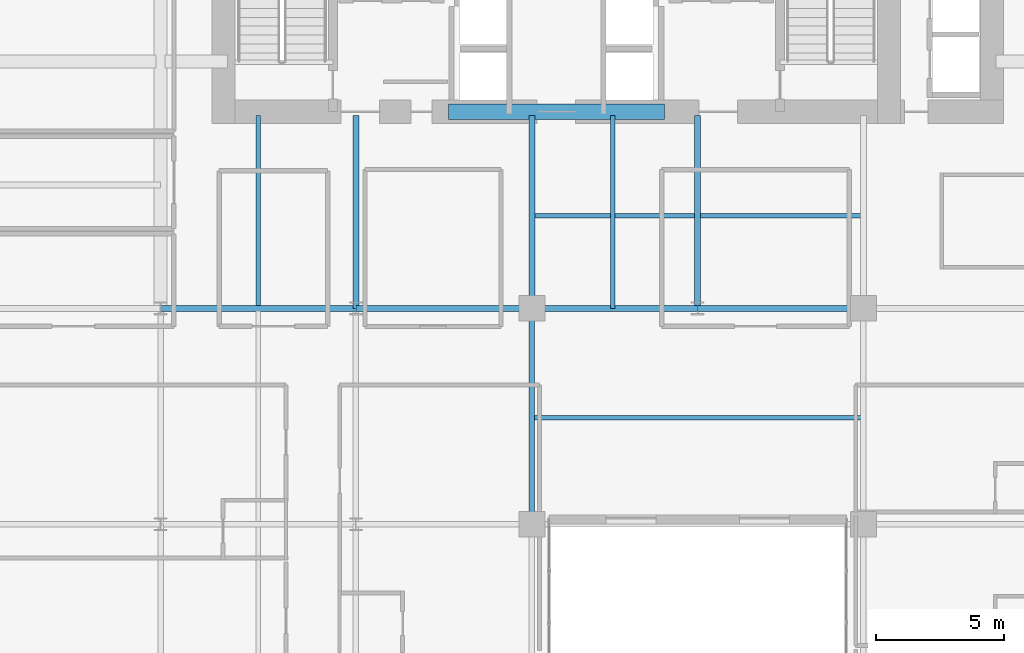
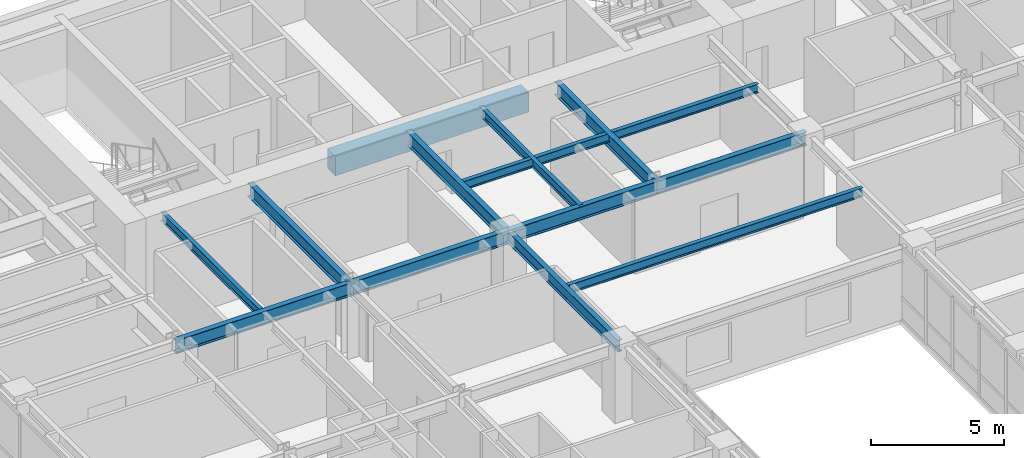
# One storey, part 12 of 30: 13 beams.
"""IFC4 building model written with IfcOpenShell, lengths in metres."""

import ifcopenshell
import ifcopenshell.guid

model = None  # the IFC model being written
_history = None  # IfcOwnerHistory: only IFC2X3 demands one
_inside = {}  # id of a spatial element -> (the spatial element, [elements in it])
_under = {}  # id of a project, library or spatial element -> (it, [spatial elements below it])
_declared = {}  # id of a project -> (the project, [libraries it declares])
_typed = {}  # id of a type object -> (the type object, [elements of that type])
_made_of = {}  # id of a material, layer set ... -> (it, [elements and type objects made of it])


def new_model(schema):
    """Start an empty IFC model of exactly this schema.

    Asked for "IFC4X3", IfcOpenShell would pick the latest addendum, in which some entities
    have other attributes; the version numbers below select the first issue.
    IFC2X3 requires an IfcOwnerHistory on every rooted entity: one is made here for all.
    """
    global model, _history
    if schema == "IFC4X3":
        model = ifcopenshell.file(schema_version=(4, 3, 0, 0))
    else:
        model = ifcopenshell.file(schema=schema)
    _inside.clear()
    _under.clear()
    _declared.clear()
    _typed.clear()
    _made_of.clear()
    _history = None
    if model.schema == "IFC2X3":
        org = make("IfcOrganization", Name="unknown")
        user = make(
            "IfcPersonAndOrganization",
            ThePerson=make("IfcPerson", FamilyName="unknown"),
            TheOrganization=org,
        )
        app = make(
            "IfcApplication",
            ApplicationDeveloper=org,
            Version="unknown",
            ApplicationFullName="unknown",
            ApplicationIdentifier="unknown",
        )
        _history = make(
            "IfcOwnerHistory",
            OwningUser=user,
            OwningApplication=app,
            ChangeAction="ADDED",
            CreationDate=0,
        )
    return model


def make(cls, **values):
    """One entity of the class cls with the attributes given. An attribute that is None is left unset."""
    return model.create_entity(
        cls, **{name: value for name, value in values.items() if value is not None}
    )


def rooted(cls, **values):
    """An entity with a GlobalId (a new one), such as an element, a storey or a relation."""
    return make(cls, GlobalId=ifcopenshell.guid.new(), OwnerHistory=_history, **values)


def si_unit(unit_type, name, prefix=None):
    """IfcSIUnit, for example si_unit("LENGTHUNIT", "METRE", prefix="MILLI")."""
    return make("IfcSIUnit", UnitType=unit_type, Prefix=prefix, Name=name)


def assignment(units):
    """IfcUnitAssignment: the units of a project."""
    return None if units is None else make("IfcUnitAssignment", Units=units)


def point(xyz):
    """IfcCartesianPoint."""
    return None if xyz is None else make("IfcCartesianPoint", Coordinates=xyz)


def direction(xyz):
    """IfcDirection."""
    return None if xyz is None else make("IfcDirection", DirectionRatios=xyz)


def frame(location, z_axis=None, x_axis=None):
    """IfcAxis2Placement3D, a coordinate frame: its origin and axes. An axis left out is left unset."""
    return make(
        "IfcAxis2Placement3D",
        Location=point(location),
        Axis=direction(z_axis),
        RefDirection=direction(x_axis),
    )


def frame_2d(location, x_axis=None):
    """IfcAxis2Placement2D, a coordinate frame in the plane: its origin and x axis."""
    return make(
        "IfcAxis2Placement2D", Location=point(location), RefDirection=direction(x_axis)
    )


def origin():
    """The frame at (0, 0, 0) with its axes left unset."""
    return frame((0.0, 0.0, 0.0))


def origin_2d():
    """The frame at (0, 0) in the plane with its x axis left unset."""
    return frame_2d((0.0, 0.0))


def place(relative_to, where):
    """IfcLocalPlacement: puts the frame where relative to a parent placement (None: the world)."""
    return make(
        "IfcLocalPlacement", PlacementRelTo=relative_to, RelativePlacement=where
    )


def context(
    kind, dimensions, precision=None, world=None, true_north=None, identifier=None
):
    """IfcGeometricRepresentationContext, for example the 3D "Model" context."""
    return make(
        "IfcGeometricRepresentationContext",
        ContextIdentifier=identifier,
        ContextType=kind,
        CoordinateSpaceDimension=dimensions,
        Precision=precision,
        WorldCoordinateSystem=world,
        TrueNorth=true_north,
    )


def subcontext(parent, identifier, kind, view, scale=None):
    """IfcGeometricRepresentationSubContext, for example "Body" below "Model"."""
    return make(
        "IfcGeometricRepresentationSubContext",
        ContextIdentifier=identifier,
        ContextType=kind,
        ParentContext=parent,
        TargetScale=scale,
        TargetView=view,
    )


def project(units=None, contexts=None):
    """IfcProject with its units and contexts."""
    return rooted(
        "IfcProject",
        Name="project",
        RepresentationContexts=contexts,
        UnitsInContext=assignment(units),
    )


def spatial(cls, under=None, at=None, **own):
    """A site, building, storey or space (cls), placed at a placement, below another one or the project."""
    s = rooted(cls, ObjectPlacement=at, **own)
    if under is not None:
        _under.setdefault(under.id(), (under, []))[1].append(s)
    return s


def profile(cls, at=None, kind="AREA", **sizes):
    """A parametric profile (cls). Its sizes go by their IFC names, for example OverallWidth=200.0."""
    return make(cls, ProfileType=kind, Position=at, **sizes)


def rectangle(**sizes):
    """IfcRectangleProfileDef."""
    return profile("IfcRectangleProfileDef", **sizes)


def i_section(**sizes):
    """IfcIShapeProfileDef."""
    return profile("IfcIShapeProfileDef", **sizes)


def extrude(swept, where, along, depth):
    """IfcExtrudedAreaSolid: the profile swept, set in the frame where, extruded along a direction by depth."""
    return make(
        "IfcExtrudedAreaSolid",
        SweptArea=swept,
        Position=where,
        ExtrudedDirection=direction(along),
        Depth=depth,
    )


def shape(context_of_items, identifier, shape_type, items):
    """IfcShapeRepresentation: the items that make up one representation, for example the "Body"."""
    return make(
        "IfcShapeRepresentation",
        ContextOfItems=context_of_items,
        RepresentationIdentifier=identifier,
        RepresentationType=shape_type,
        Items=items,
    )


def source(mapping_origin, context_of_items, identifier, shape_type, items):
    """IfcRepresentationMap: a shape defined once, which mapped items show again and again."""
    return make(
        "IfcRepresentationMap",
        MappingOrigin=mapping_origin,
        MappedRepresentation=shape(context_of_items, identifier, shape_type, items),
    )


def transform(
    local_origin,
    x_axis=None,
    y_axis=None,
    z_axis=None,
    scale=None,
    scale2=None,
    scale3=None,
    uniform=True,
):
    """IfcCartesianTransformationOperator3D, or its non-uniform kind. x_axis, y_axis, z_axis: its Axis1, 2, 3."""
    if uniform:
        return make(
            "IfcCartesianTransformationOperator3D",
            Axis1=direction(x_axis),
            Axis2=direction(y_axis),
            LocalOrigin=point(local_origin),
            Scale=scale,
            Axis3=direction(z_axis),
        )
    return make(
        "IfcCartesianTransformationOperator3DnonUniform",
        Axis1=direction(x_axis),
        Axis2=direction(y_axis),
        LocalOrigin=point(local_origin),
        Scale=scale,
        Axis3=direction(z_axis),
        Scale2=scale2,
        Scale3=scale3,
    )


def mapped(mapping_source, mapping_target):
    """IfcMappedItem: shows the shape of a source again, moved by a transform."""
    return make(
        "IfcMappedItem", MappingSource=mapping_source, MappingTarget=mapping_target
    )


def material(Name=None, Category=None):
    """IfcMaterial."""
    return make("IfcMaterial", Name=Name, Category=Category)


def material_profile(
    of_material, cross_section, Name=None, Category=None, Priority=None
):
    """IfcMaterialProfile: a cross section and its material."""
    return make(
        "IfcMaterialProfile",
        Name=Name,
        Material=of_material,
        Profile=cross_section,
        Priority=Priority,
        Category=Category,
    )


def profile_set(profiles, Name=None, composite=None):
    """IfcMaterialProfileSet."""
    return make(
        "IfcMaterialProfileSet",
        Name=Name,
        MaterialProfiles=profiles,
        CompositeProfile=composite,
    )


def made_of(thing, what):
    """Note that an element or type object is made of a material, layer set ...; save() writes the relation."""
    if what is not None:
        _made_of.setdefault(what.id(), (what, []))[1].append(thing)
    return thing


def type_object(cls, material=None, **own):
    """A type object (cls), such as IfcWallType, which elements share."""
    return made_of(rooted(cls, **own), material)


def type_shapes(of_type, sources):
    """Give a type object the sources (RepresentationMaps) that its elements show as mapped items."""
    of_type.RepresentationMaps = sources


def element(
    cls,
    number,
    at=None,
    inside=None,
    cuts=None,
    type_object=None,
    material=None,
    context=None,
    identifier="Body",
    shape_type=None,
    held_by="IfcProductDefinitionShape",
    body=None,
    shapes=None,
    **own,
):
    """One element of the class cls, such as IfcWall. Its Tag is "e" and its number.

    at: its placement. inside: the storey or other place that contains it. cuts: it is an
    opening in that element (IfcRelVoidsElement). A single representation is given by context,
    identifier, shape_type and body (its items); several are given by shapes. held_by: the class
    of the entity that holds the representations. save() writes the other relations.
    """
    e = rooted(cls, Tag="e%d" % number, ObjectPlacement=at, **own)
    if body is not None:
        shapes = [shape(context, identifier, shape_type, body)]
    if shapes is not None:
        e.Representation = make(held_by, Representations=shapes)
    if inside is not None:
        _inside.setdefault(inside.id(), (inside, []))[1].append(e)
    if cuts is not None:
        rooted(
            "IfcRelVoidsElement", RelatingBuildingElement=cuts, RelatedOpeningElement=e
        )
    if type_object is not None:
        _typed.setdefault(type_object.id(), (type_object, []))[1].append(e)
    return made_of(e, material)


def aggregate(whole, parts):
    """IfcRelAggregates: a whole, such as a stair, and the parts it consists of."""
    return rooted("IfcRelAggregates", RelatingObject=whole, RelatedObjects=parts)


def save(model, path):
    """Write the relations noted so far, then the file.

    IfcRelAggregates (storeys below a building ...), IfcRelContainedInSpatialStructure (elements
    in a storey), IfcRelDefinesByType, IfcRelAssociatesMaterial and IfcRelDeclares: one each for
    every whole, place, type object, material and project.
    """
    for whole, parts in _under.values():
        aggregate(whole, parts)
    for where, things in _inside.values():
        rooted(
            "IfcRelContainedInSpatialStructure",
            RelatedElements=things,
            RelatingStructure=where,
        )
    for kind, things in _typed.values():
        rooted("IfcRelDefinesByType", RelatedObjects=things, RelatingType=kind)
    for what, things in _made_of.values():
        rooted("IfcRelAssociatesMaterial", RelatedObjects=things, RelatingMaterial=what)
    for by, libraries in _declared.values():
        rooted("IfcRelDeclares", RelatingContext=by, RelatedDefinitions=libraries)
    model.write(path)


model = new_model("IFC4")

# Units and contexts
model_context = context("Model", 3, precision=1e-05, world=origin(), true_north=direction((0.0, 1.0)))
body_context = subcontext(model_context, "Body", "Model", "MODEL_VIEW")
ifc_project = project(units=[si_unit("LENGTHUNIT", "METRE"), si_unit("AREAUNIT", "SQUARE_METRE"), si_unit("VOLUMEUNIT", "CUBIC_METRE"), si_unit("PLANEANGLEUNIT", "RADIAN"), si_unit("MASSUNIT", "GRAM", prefix="KILO")], contexts=[model_context])

# Site, building, storey
site_placement = place(None, origin())
site = spatial("IfcSite", under=ifc_project, at=site_placement, CompositionType="ELEMENT")
building_placement = place(site_placement, origin())
building = spatial("IfcBuilding", under=site, at=building_placement, Name="Tolvann Quenvar Hotel", CompositionType="ELEMENT")
storey_placement = place(building_placement, frame((0.0, 0.0, 56.85009765625)))
storey = spatial("IfcBuildingStorey", under=building, at=storey_placement, Name="L13", CompositionType="ELEMENT", Elevation=56.85009765625)

# Beams
ifc_material_1 = material(Name="Concrete N50 (50 MPa)", Category="concrete")
ifc_material_profile_1 = material_profile(ifc_material_1, rectangle(XDim=0.60009765625, YDim=0.89990234375, at=origin_2d()), Name="RC600x900")
ifc_profile_set_1 = profile_set([ifc_material_profile_1], Name="Concrete N50 (50 MPa)")
beam_type_1 = type_object("IfcBeamType", Name="BM_LINT_RC600x900", PredefinedType="LINTEL", material=ifc_profile_set_1)
shared_shape_1 = source(origin(), body_context, "Body", "SweptSolid", [
    extrude(rectangle(XDim=0.60009765625, YDim=0.89990234375, at=origin_2d()), origin(), (0.0, 0.0, 1.0), 8.39990234375),
])
type_shapes(beam_type_1, [shared_shape_1])
beam_1_placement = place(storey_placement, frame((18.800048828125, 32.050048828125, 2.919921875), z_axis=(1.0, 0.0, 0.0), x_axis=(0.0, 1.0, 0.0)))
element("IfcBeam", 1, at=beam_1_placement, inside=storey, type_object=beam_type_1, Name="Core Coupling Lintel Beam (L13)", PredefinedType="LINTEL", context=body_context, shape_type="MappedRepresentation", body=[
    mapped(shared_shape_1, transform((0.0, 0.0, 0.0), x_axis=(1.0, 0.0, 0.0), y_axis=(0.0, 1.0, 0.0), z_axis=(0.0, 0.0, 1.0), scale=1.0)),
])
ifc_material_2 = material(Name="Steel Grade 350", Category="steel")
ifc_material_profile_2 = material_profile(ifc_material_2, i_section(OverallWidth=0.22900390625, OverallDepth=0.612060546875, WebThickness=0.011962890625, FlangeThickness=0.01953125, FilletRadius=0.013916015625, at=origin_2d()), Name="610UB125")
ifc_profile_set_2 = profile_set([ifc_material_profile_2], Name="Steel Grade 350")
beam_type_2 = type_object("IfcBeamType", Name="BM_GIRD_610UB125", PredefinedType="BEAM", material=ifc_profile_set_2)
shared_shape_2 = source(origin(), body_context, "Body", "SweptSolid", [
    extrude(i_section(OverallWidth=0.22900390625, OverallDepth=0.612060546875, WebThickness=0.011962890625, FlangeThickness=0.01953125, FilletRadius=0.013916015625, at=origin_2d()), origin(), (0.0, 0.0, 1.0), 7.599853515625),
])
beam_2_placement = place(storey_placement, frame((7.60009765625, 24.39990234375, 3.06396484375), z_axis=(1.0, 0.0, 0.0), x_axis=(0.0, 1.0, 0.0)))
element("IfcBeam", 2, at=beam_2_placement, inside=storey, type_object=beam_type_2, Name="BM-L13-EW-5-C5-D5", PredefinedType="BEAM", context=body_context, shape_type="MappedRepresentation", body=[
    mapped(shared_shape_2, transform((0.0, 0.0, 0.0), x_axis=(1.0, 0.0, 0.0), y_axis=(0.0, 1.0, 0.0), z_axis=(0.0, 0.0, 1.0), scale=1.0)),
])
shared_shape_3 = source(origin(), body_context, "Body", "SweptSolid", [
    extrude(i_section(OverallWidth=0.22900390625, OverallDepth=0.612060546875, WebThickness=0.011962890625, FlangeThickness=0.01953125, FilletRadius=0.013916015625, at=origin_2d()), origin(), (0.0, 0.0, 1.0), 6.85009765625),
])
beam_3_placement = place(storey_placement, frame((15.199951171875, 24.39990234375, 3.06396484375), z_axis=(1.0, 0.0, 0.0), x_axis=(0.0, 1.0, 0.0)))
element("IfcBeam", 3, at=beam_3_placement, inside=storey, type_object=beam_type_2, Name="BM-L13-EW-5-D5-E5", PredefinedType="BEAM", context=body_context, shape_type="MappedRepresentation", body=[
    mapped(shared_shape_3, transform((0.0, 0.0, 0.0), x_axis=(1.0, 0.0, 0.0), y_axis=(0.0, 1.0, 0.0), z_axis=(0.0, 0.0, 1.0), scale=1.0)),
])
shared_shape_4 = source(origin(), body_context, "Body", "SweptSolid", [
    extrude(i_section(OverallWidth=0.22900390625, OverallDepth=0.612060546875, WebThickness=0.011962890625, FlangeThickness=0.01953125, FilletRadius=0.013916015625, at=origin_2d()), origin(), (0.0, 0.0, 1.0), 6.449951171875),
])
for number, where, z_axis, x_axis, name in (
    (4, (22.050048828125, 24.39990234375, 3.06396484375), (1.0, 0.0, 0.0), (0.0, 1.0, 0.0), "BM-L13-EW-5-E5-M5"),
    (5, (28.5, 24.39990234375, 3.06396484375), (1.0, 0.0, 0.0), (0.0, 1.0, 0.0), "BM-L13-EW-5-M5-F5"),
):
    element("IfcBeam", number, at=place(storey_placement, frame(where, z_axis=z_axis, x_axis=x_axis)), inside=storey, type_object=beam_type_2, Name=name, PredefinedType="BEAM", context=body_context, shape_type="MappedRepresentation", body=[
        mapped(shared_shape_4, transform((0.0, 0.0, 0.0), x_axis=(1.0, 0.0, 0.0), y_axis=(0.0, 1.0, 0.0), z_axis=(0.0, 0.0, 1.0), scale=1.0)),
    ])
ifc_material_profile_3 = material_profile(ifc_material_2, i_section(OverallWidth=0.208984375, OverallDepth=0.532958984375, WebThickness=0.01025390625, FlangeThickness=0.015625, FilletRadius=0.013916015625, at=origin_2d()), Name="530UB92")
ifc_profile_set_3 = profile_set([ifc_material_profile_3], Name="Steel Grade 350")
beam_type_3 = type_object("IfcBeamType", Name="BM_GIRD_530UB92", PredefinedType="BEAM", material=ifc_profile_set_3)
shared_shape_5 = source(origin(), body_context, "Body", "SweptSolid", [
    extrude(i_section(OverallWidth=0.208984375, OverallDepth=0.532958984375, WebThickness=0.01025390625, FlangeThickness=0.015625, FilletRadius=0.013916015625, at=origin_2d()), origin(), (0.0, 0.0, 1.0), 8.39990234375),
])
type_shapes(beam_type_3, [shared_shape_5])
beam_4_placement = place(storey_placement, frame((22.050048828125, 16.0, 3.103515625), z_axis=(0.0, 1.0, 0.0), x_axis=(-1.0, 0.0, 0.0)))
element("IfcBeam", 6, at=beam_4_placement, inside=storey, type_object=beam_type_3, Name="BM-L13-NS-E4-E5", PredefinedType="BEAM", context=body_context, shape_type="MappedRepresentation", body=[
    mapped(shared_shape_5, transform((0.0, 0.0, 0.0), x_axis=(1.0, 0.0, 0.0), y_axis=(0.0, 1.0, 0.0), z_axis=(0.0, 0.0, 1.0), scale=1.0)),
])
shared_shape_6 = source(origin(), body_context, "Body", "SweptSolid", [
    extrude(i_section(OverallWidth=0.22900390625, OverallDepth=0.612060546875, WebThickness=0.011962890625, FlangeThickness=0.01953125, FilletRadius=0.013916015625, at=origin_2d()), origin(), (0.0, 0.0, 1.0), 7.5),
])
type_shapes(beam_type_2, [shared_shape_2, shared_shape_3, shared_shape_4, shared_shape_6])
for number, where, z_axis, x_axis, name in (
    (7, (15.199951171875, 24.39990234375, 3.06396484375), (0.0, 1.0, 0.0), (-1.0, 0.0, 0.0), "BM-L13-CORE-D5"),
    (8, (22.050048828125, 24.39990234375, 3.06396484375), (0.0, 1.0, 0.0), (-1.0, 0.0, 0.0), "BM-L13-CORE-E5"),
    (9, (28.5, 24.39990234375, 3.06396484375), (0.0, 1.0, 0.0), (-1.0, 0.0, 0.0), "BM-L13-CORE-M5"),
):
    element("IfcBeam", number, at=place(storey_placement, frame(where, z_axis=z_axis, x_axis=x_axis)), inside=storey, type_object=beam_type_2, Name=name, PredefinedType="BEAM", context=body_context, shape_type="MappedRepresentation", body=[
        mapped(shared_shape_6, transform((0.0, 0.0, 0.0), x_axis=(1.0, 0.0, 0.0), y_axis=(0.0, 1.0, 0.0), z_axis=(0.0, 0.0, 1.0), scale=1.0)),
    ])
ifc_material_profile_4 = material_profile(ifc_material_2, i_section(OverallWidth=0.177978515625, OverallDepth=0.406005859375, WebThickness=0.0078125, FlangeThickness=0.0126953125, FilletRadius=0.011474609375, at=origin_2d()), Name="410UB60")
ifc_profile_set_4 = profile_set([ifc_material_profile_4], Name="Steel Grade 350")
beam_type_4 = type_object("IfcBeamType", Name="BM_JOIST_410UB60", PredefinedType="JOIST", material=ifc_profile_set_4)
shared_shape_7 = source(origin(), body_context, "Body", "SweptSolid", [
    extrude(i_section(OverallWidth=0.177978515625, OverallDepth=0.406005859375, WebThickness=0.0078125, FlangeThickness=0.0126953125, FilletRadius=0.011474609375, at=origin_2d()), origin(), (0.0, 0.0, 1.0), 12.89990234375),
])
for number, where, z_axis, x_axis, name in (
    (10, (22.050048828125, 20.14990234375, 3.1669921875), (1.0, 0.0, 0.0), (0.0, 1.0, 0.0), "BM-L13-SPINE-20"),
    (11, (22.050048828125, 28.0, 3.1669921875), (1.0, 0.0, 0.0), (0.0, 1.0, 0.0), "BM-L13-SPINE-28"),
):
    element("IfcBeam", number, at=place(storey_placement, frame(where, z_axis=z_axis, x_axis=x_axis)), inside=storey, type_object=beam_type_4, Name=name, PredefinedType="JOIST", context=body_context, shape_type="MappedRepresentation", body=[
        mapped(shared_shape_7, transform((0.0, 0.0, 0.0), x_axis=(1.0, 0.0, 0.0), y_axis=(0.0, 1.0, 0.0), z_axis=(0.0, 0.0, 1.0), scale=1.0)),
    ])
shared_shape_8 = source(origin(), body_context, "Body", "SweptSolid", [
    extrude(i_section(OverallWidth=0.177978515625, OverallDepth=0.406005859375, WebThickness=0.0078125, FlangeThickness=0.0126953125, FilletRadius=0.011474609375, at=origin_2d()), origin(), (0.0, 0.0, 1.0), 7.391357421875),
])
beam_5_placement = place(storey_placement, frame((11.39990234375, 24.508544921875, 3.1669921875), z_axis=(0.0, 1.0, 0.0), x_axis=(-1.0, 0.0, 0.0)))
element("IfcBeam", 12, at=beam_5_placement, inside=storey, type_object=beam_type_4, Name="BJ-L13-114-244", PredefinedType="JOIST", context=body_context, shape_type="MappedRepresentation", body=[
    mapped(shared_shape_8, transform((0.0, 0.0, 0.0), x_axis=(1.0, 0.0, 0.0), y_axis=(0.0, 1.0, 0.0), z_axis=(0.0, 0.0, 1.0), scale=1.0)),
])
shared_shape_9 = source(origin(), body_context, "Body", "SweptSolid", [
    extrude(i_section(OverallWidth=0.177978515625, OverallDepth=0.406005859375, WebThickness=0.0078125, FlangeThickness=0.0126953125, FilletRadius=0.011474609375, at=origin_2d()), origin(), (0.0, 0.0, 1.0), 7.5),
])
type_shapes(beam_type_4, [shared_shape_7, shared_shape_8, shared_shape_9])
beam_6_placement = place(storey_placement, frame((25.199951171875, 24.39990234375, 3.1669921875), z_axis=(0.0, 1.0, 0.0), x_axis=(-1.0, 0.0, 0.0)))
element("IfcBeam", 13, at=beam_6_placement, inside=storey, type_object=beam_type_4, Name="BJ-L13-252-244", PredefinedType="JOIST", context=body_context, shape_type="MappedRepresentation", body=[
    mapped(shared_shape_9, transform((0.0, 0.0, 0.0), x_axis=(1.0, 0.0, 0.0), y_axis=(0.0, 1.0, 0.0), z_axis=(0.0, 0.0, 1.0), scale=1.0)),
])

save(model, "model.ifc")
